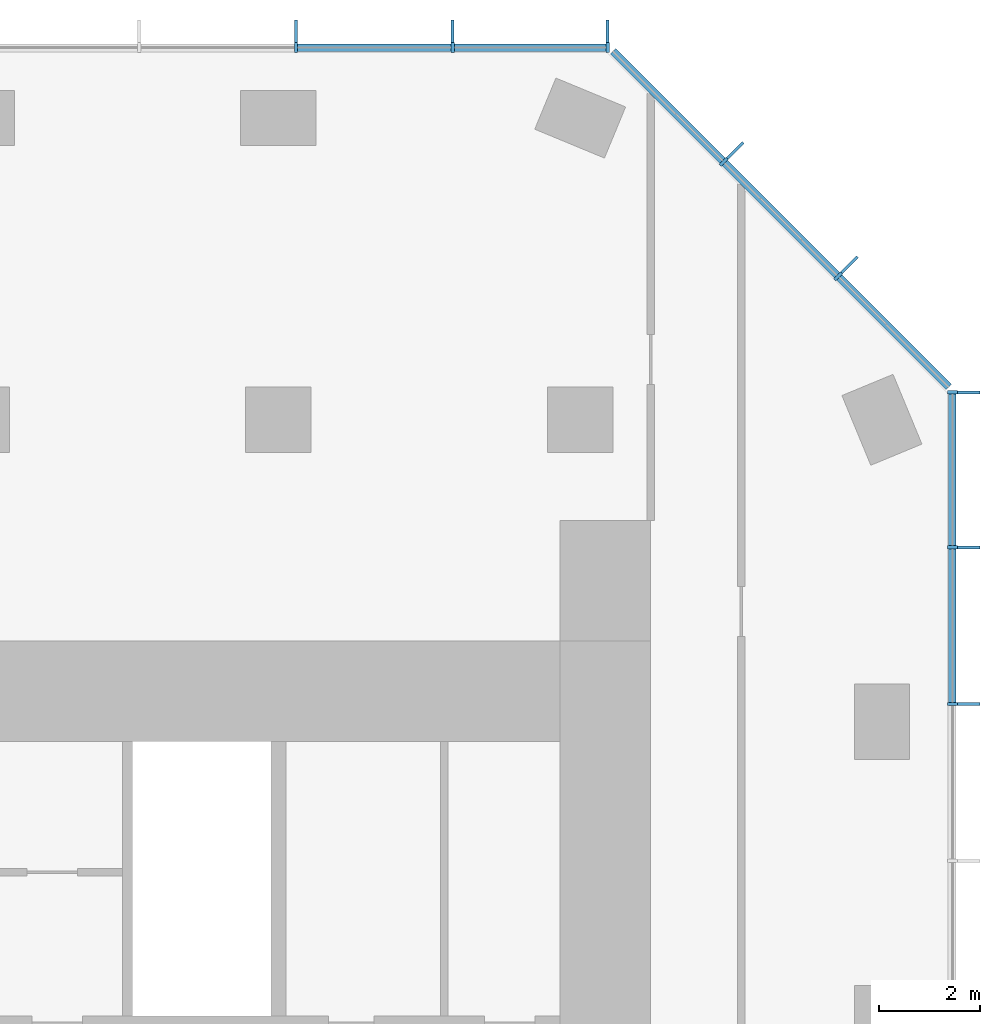
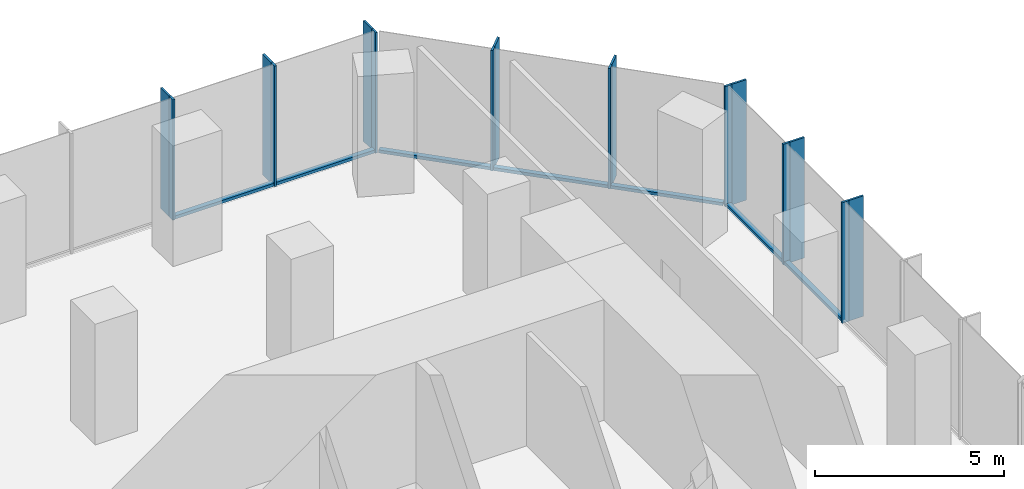
# One storey, part 6 of 11: 23 members, 3 elements without a shape of their own.
"""IFC4 building model written with IfcOpenShell, lengths in metres."""

from ifc_helpers import new_model, si_unit, direction, frame, origin, origin_2d, place, context, subcontext, project, spatial, rectangle, extrude, material, layer, layer_set, material_profile, profile_set, type_object, element, aggregate, save


model = new_model("IFC4")

# Units and contexts
model_context = context("Model", 3, precision=1e-05, world=origin(), true_north=direction((0.0, 1.0)))
body_context = subcontext(model_context, "Body", "Model", "MODEL_VIEW")
ifc_project = project(units=[si_unit("LENGTHUNIT", "METRE"), si_unit("AREAUNIT", "SQUARE_METRE"), si_unit("VOLUMEUNIT", "CUBIC_METRE"), si_unit("PLANEANGLEUNIT", "RADIAN"), si_unit("MASSUNIT", "GRAM", prefix="KILO")], contexts=[model_context])

# Site, building, storey
site_placement = place(None, origin())
site = spatial("IfcSite", under=ifc_project, at=site_placement, CompositionType="ELEMENT")
building_placement = place(site_placement, origin())
building = spatial("IfcBuilding", under=site, at=building_placement, Name="Highveld Stack Headquarters", CompositionType="ELEMENT")
storey_placement = place(building_placement, frame((0.0, 0.0, 224.0)))
storey = spatial("IfcBuildingStorey", under=building, at=storey_placement, Name="L55", CompositionType="ELEMENT", Elevation=224.0)

# Curtain wall, members
ifc_material_1 = material(Name="Aluminium bronze anodised", Category="aluminium")
ifc_layer_1 = layer(ifc_material_1, 0.199951171875)
ifc_layer_set_1 = layer_set([ifc_layer_1], Name="Aluminium bronze anodised")
curtain_wall_type_1 = type_object("IfcCurtainWallType", Name="CW1 TOWER UNITISED CURTAIN WALL", PredefinedType="NOTDEFINED", material=ifc_layer_set_1)
curtain_wall_1_placement = place(storey_placement, origin())
curtain_wall_1 = element("IfcCurtainWall", 1, at=curtain_wall_1_placement, inside=storey, type_object=curtain_wall_type_1, Name="Curtain wall CW1 L55 E", PredefinedType="NOTDEFINED")
ifc_material_2 = material(Name="Aluminium bronze anodised", Category="aluminium")
ifc_material_profile_1 = material_profile(ifc_material_2, rectangle(XDim=0.449951171875, YDim=0.06005859375, at=origin_2d()), Name="FIN 450x60")
ifc_profile_set_1 = profile_set([ifc_material_profile_1], Name="Aluminium bronze anodised")
member_type_1 = type_object("IfcMemberType", Name="CW1 BRONZE FIN 450x60", PredefinedType="USERDEFINED", material=ifc_profile_set_1)
member_1_placement = place(storey_placement, frame((25.72509765625, 12.347900390625, 0.0), z_axis=(0.0, 0.0, 1.0), x_axis=(-1.0, 0.0, 0.0)))
member_1 = element("IfcMember", 2, at=member_1_placement, type_object=member_type_1, Name="CW1 fin L55 9", ObjectType="FIN", PredefinedType="USERDEFINED", context=body_context, shape_type="SweptSolid", body=[
    extrude(rectangle(XDim=0.449951171875, YDim=0.06005859375, at=origin_2d()), origin(), (0.0, 0.0, 1.0), 3.89990234375),
])
member_2_placement = place(storey_placement, frame((25.72509765625, 15.4638671875, 0.0), z_axis=(0.0, 0.0, 1.0), x_axis=(-1.0, 0.0, 0.0)))
member_2 = element("IfcMember", 3, at=member_2_placement, type_object=member_type_1, Name="CW1 fin L55 10", ObjectType="FIN", PredefinedType="USERDEFINED", context=body_context, shape_type="SweptSolid", body=[
    extrude(rectangle(XDim=0.449951171875, YDim=0.06005859375, at=origin_2d()), origin(), (0.0, 0.0, 1.0), 3.89990234375),
])
member_3_placement = place(storey_placement, frame((25.72509765625, 18.54736328125, 0.0), z_axis=(0.0, 0.0, 1.0), x_axis=(-1.0, 0.0, 0.0)))
member_3 = element("IfcMember", 4, at=member_3_placement, type_object=member_type_1, Name="CW1 fin L55 11", ObjectType="FIN", PredefinedType="USERDEFINED", context=body_context, shape_type="SweptSolid", body=[
    extrude(rectangle(XDim=0.449951171875, YDim=0.06005859375, at=origin_2d()), origin(), (0.0, 0.0, 1.0), 3.89990234375),
])

curtain_wall_2_placement = place(storey_placement, origin())
curtain_wall_2 = element("IfcCurtainWall", 5, at=curtain_wall_2_placement, inside=storey, type_object=curtain_wall_type_1, Name="Curtain wall CW1 L55 N", PredefinedType="NOTDEFINED")
member_4_placement = place(storey_placement, frame((18.54736328125, 25.72509765625, 0.0), z_axis=(0.0, 0.0, 1.0), x_axis=(0.0, -1.0, 0.0)))
member_4 = element("IfcMember", 6, at=member_4_placement, type_object=member_type_1, Name="CW1 fin L55 1", ObjectType="FIN", PredefinedType="USERDEFINED", context=body_context, shape_type="SweptSolid", body=[
    extrude(rectangle(XDim=0.449951171875, YDim=0.06005859375, at=origin_2d()), origin(), (0.0, 0.0, 1.0), 3.89990234375),
])
member_5_placement = place(storey_placement, frame((15.4638671875, 25.72509765625, 0.0), z_axis=(0.0, 0.0, 1.0), x_axis=(0.0, -1.0, 0.0)))
member_5 = element("IfcMember", 7, at=member_5_placement, type_object=member_type_1, Name="CW1 fin L55 2", ObjectType="FIN", PredefinedType="USERDEFINED", context=body_context, shape_type="SweptSolid", body=[
    extrude(rectangle(XDim=0.449951171875, YDim=0.06005859375, at=origin_2d()), origin(), (0.0, 0.0, 1.0), 3.89990234375),
])
member_6_placement = place(storey_placement, frame((12.347900390625, 25.72509765625, 0.0), z_axis=(0.0, 0.0, 1.0), x_axis=(0.0, -1.0, 0.0)))
member_6 = element("IfcMember", 8, at=member_6_placement, type_object=member_type_1, Name="CW1 fin L55 3", ObjectType="FIN", PredefinedType="USERDEFINED", context=body_context, shape_type="SweptSolid", body=[
    extrude(rectangle(XDim=0.449951171875, YDim=0.06005859375, at=origin_2d()), origin(), (0.0, 0.0, 1.0), 3.89990234375),
])

# Member
ifc_material_3 = material(Name="Aluminium bronze anodised", Category="aluminium")
ifc_material_profile_2 = material_profile(ifc_material_3, rectangle(XDim=0.199951171875, YDim=0.06494140625, at=origin_2d()), Name="CW1 MULLION 65x200")
ifc_profile_set_2 = profile_set([ifc_material_profile_2], Name="Aluminium bronze anodised")
member_type_2 = type_object("IfcMemberType", Name="CW1 MULLION 65x200", PredefinedType="MULLION", material=ifc_profile_set_2)
member_7_placement = place(storey_placement, frame((25.39990234375, 12.347900390625, 0.0), z_axis=(0.0, 0.0, 1.0), x_axis=(-1.0, 0.0, 0.0)))
member_7 = element("IfcMember", 9, at=member_7_placement, type_object=member_type_2, Name="CW1 mullion L55 9", PredefinedType="MULLION", context=body_context, shape_type="SweptSolid", body=[
    extrude(rectangle(XDim=0.199951171875, YDim=0.06494140625, at=origin_2d()), origin(), (0.0, 0.0, 1.0), 3.89990234375),
])

member_8_placement = place(storey_placement, frame((25.39990234375, 15.4638671875, 0.0), z_axis=(0.0, 0.0, 1.0), x_axis=(-1.0, 0.0, 0.0)))
member_8 = element("IfcMember", 10, at=member_8_placement, type_object=member_type_2, Name="CW1 mullion L55 10", PredefinedType="MULLION", context=body_context, shape_type="SweptSolid", body=[
    extrude(rectangle(XDim=0.199951171875, YDim=0.06494140625, at=origin_2d()), origin(), (0.0, 0.0, 1.0), 3.89990234375),
])

member_9_placement = place(storey_placement, frame((25.39990234375, 18.54736328125, 0.0), z_axis=(0.0, 0.0, 1.0), x_axis=(-1.0, 0.0, 0.0)))
member_9 = element("IfcMember", 11, at=member_9_placement, type_object=member_type_2, Name="CW1 mullion L55 11", PredefinedType="MULLION", context=body_context, shape_type="SweptSolid", body=[
    extrude(rectangle(XDim=0.199951171875, YDim=0.06494140625, at=origin_2d()), origin(), (0.0, 0.0, 1.0), 3.89990234375),
])

member_10_placement = place(storey_placement, frame((18.54736328125, 25.39990234375, 0.0), z_axis=(0.0, 0.0, 1.0), x_axis=(0.0, -1.0, 0.0)))
member_10 = element("IfcMember", 12, at=member_10_placement, type_object=member_type_2, Name="CW1 mullion L55 1", PredefinedType="MULLION", context=body_context, shape_type="SweptSolid", body=[
    extrude(rectangle(XDim=0.199951171875, YDim=0.06494140625, at=origin_2d()), origin(), (0.0, 0.0, 1.0), 3.89990234375),
])

member_11_placement = place(storey_placement, frame((15.4638671875, 25.39990234375, 0.0), z_axis=(0.0, 0.0, 1.0), x_axis=(0.0, -1.0, 0.0)))
member_11 = element("IfcMember", 13, at=member_11_placement, type_object=member_type_2, Name="CW1 mullion L55 2", PredefinedType="MULLION", context=body_context, shape_type="SweptSolid", body=[
    extrude(rectangle(XDim=0.199951171875, YDim=0.06494140625, at=origin_2d()), origin(), (0.0, 0.0, 1.0), 3.89990234375),
])

member_12_placement = place(storey_placement, frame((12.347900390625, 25.39990234375, 0.0), z_axis=(0.0, 0.0, 1.0), x_axis=(0.0, -1.0, 0.0)))
member_12 = element("IfcMember", 14, at=member_12_placement, type_object=member_type_2, Name="CW1 mullion L55 3", PredefinedType="MULLION", context=body_context, shape_type="SweptSolid", body=[
    extrude(rectangle(XDim=0.199951171875, YDim=0.06494140625, at=origin_2d()), origin(), (0.0, 0.0, 1.0), 3.89990234375),
])

ifc_material_4 = material(Name="Aluminium bronze anodised", Category="aluminium")
ifc_material_profile_3 = material_profile(ifc_material_4, rectangle(XDim=0.14990234375, YDim=0.10009765625, at=origin_2d()), Name="CW1 TRANSOM 150x100")
ifc_profile_set_3 = profile_set([ifc_material_profile_3], Name="Aluminium bronze anodised")
member_type_3 = type_object("IfcMemberType", Name="CW1 STACK TRANSOM 150x100", PredefinedType="USERDEFINED", material=ifc_profile_set_3)
member_13_placement = place(storey_placement, frame((25.39990234375, 12.38037109375, 0.050048828125), z_axis=(0.0, 1.0, 0.0), x_axis=(-1.0, 0.0, 0.0)))
member_13 = element("IfcMember", 15, at=member_13_placement, type_object=member_type_3, Name="CW1 transom L55 9.1", ObjectType="TRANSOM", PredefinedType="USERDEFINED", context=body_context, shape_type="SweptSolid", body=[
    extrude(rectangle(XDim=0.14990234375, YDim=0.10009765625, at=origin_2d()), origin(), (0.0, 0.0, 1.0), 3.051025390625),
])

member_14_placement = place(storey_placement, frame((25.39990234375, 15.496337890625, 0.050048828125), z_axis=(0.0, 1.0, 0.0), x_axis=(-1.0, 0.0, 0.0)))
member_14 = element("IfcMember", 16, at=member_14_placement, type_object=member_type_3, Name="CW1 transom L55 10.1", ObjectType="TRANSOM", PredefinedType="USERDEFINED", context=body_context, shape_type="SweptSolid", body=[
    extrude(rectangle(XDim=0.14990234375, YDim=0.10009765625, at=origin_2d()), origin(), (0.0, 0.0, 1.0), 3.0185546875),
])

aggregate(curtain_wall_1, [member_7, member_1, member_8, member_2, member_9, member_3, member_13, member_14])

member_15_placement = place(storey_placement, frame((18.514892578125, 25.39990234375, 0.050048828125), z_axis=(-1.0, 0.0, 0.0), x_axis=(0.0, -1.0, 0.0)))
member_15 = element("IfcMember", 17, at=member_15_placement, type_object=member_type_3, Name="CW1 transom L55 1.1", ObjectType="TRANSOM", PredefinedType="USERDEFINED", context=body_context, shape_type="SweptSolid", body=[
    extrude(rectangle(XDim=0.14990234375, YDim=0.10009765625, at=origin_2d()), origin(), (0.0, 0.0, 1.0), 3.0185546875),
])

member_16_placement = place(storey_placement, frame((15.431396484375, 25.39990234375, 0.050048828125), z_axis=(-1.0, 0.0, 0.0), x_axis=(0.0, -1.0, 0.0)))
member_16 = element("IfcMember", 18, at=member_16_placement, type_object=member_type_3, Name="CW1 transom L55 2.1", ObjectType="TRANSOM", PredefinedType="USERDEFINED", context=body_context, shape_type="SweptSolid", body=[
    extrude(rectangle(XDim=0.14990234375, YDim=0.10009765625, at=origin_2d()), origin(), (0.0, 0.0, 1.0), 3.051025390625),
])

aggregate(curtain_wall_2, [member_10, member_4, member_11, member_5, member_12, member_6, member_15, member_16])

# Curtain wall, members
ifc_material_5 = material(Name="Aluminium bronze anodised", Category="aluminium")
ifc_layer_2 = layer(ifc_material_5, 0.199951171875)
ifc_layer_set_2 = layer_set([ifc_layer_2], Name="Aluminium bronze anodised")
curtain_wall_type_2 = type_object("IfcCurtainWallType", Name="CW2 TOWER CHAMFER UNITISED CURTAIN WALL", PredefinedType="NOTDEFINED", material=ifc_layer_set_2)
curtain_wall_3_placement = place(storey_placement, origin())
curtain_wall_3 = element("IfcCurtainWall", 19, at=curtain_wall_3_placement, inside=storey, type_object=curtain_wall_type_2, Name="Curtain wall CW2 L55 NE", PredefinedType="NOTDEFINED")
ifc_material_6 = material(Name="Aluminium bronze anodised", Category="aluminium")
ifc_material_profile_4 = material_profile(ifc_material_6, rectangle(XDim=0.449951171875, YDim=0.06005859375, at=origin_2d()), Name="FIN 450x60")
ifc_profile_set_4 = profile_set([ifc_material_profile_4], Name="Aluminium bronze anodised")
member_type_4 = type_object("IfcMemberType", Name="CW2 BRONZE FIN 450x60", PredefinedType="USERDEFINED", material=ifc_profile_set_4)
member_17_placement = place(storey_placement, frame((23.3564453125, 21.0830078125, 0.0), z_axis=(0.0, 0.0, 1.0), x_axis=(-0.707106781187, -0.707106781187, 0.0)))
member_17 = element("IfcMember", 20, at=member_17_placement, type_object=member_type_4, Name="CW2 fin L55 1", ObjectType="FIN", PredefinedType="USERDEFINED", context=body_context, shape_type="SweptSolid", body=[
    extrude(rectangle(XDim=0.449951171875, YDim=0.06005859375, at=origin_2d()), origin(), (0.0, 0.0, 1.0), 3.89990234375),
])
member_18_placement = place(storey_placement, frame((21.0830078125, 23.3564453125, 0.0), z_axis=(0.0, 0.0, 1.0), x_axis=(-0.707106781187, -0.707106781187, 0.0)))
member_18 = element("IfcMember", 21, at=member_18_placement, type_object=member_type_4, Name="CW2 fin L55 2", ObjectType="FIN", PredefinedType="USERDEFINED", context=body_context, shape_type="SweptSolid", body=[
    extrude(rectangle(XDim=0.449951171875, YDim=0.06005859375, at=origin_2d()), origin(), (0.0, 0.0, 1.0), 3.89990234375),
])
ifc_material_7 = material(Name="Aluminium bronze anodised", Category="aluminium")
ifc_material_profile_5 = material_profile(ifc_material_7, rectangle(XDim=0.199951171875, YDim=0.06494140625, at=origin_2d()), Name="CW2 MULLION 65x200")
ifc_profile_set_5 = profile_set([ifc_material_profile_5], Name="Aluminium bronze anodised")
member_type_5 = type_object("IfcMemberType", Name="CW2 MULLION 65x200", PredefinedType="MULLION", material=ifc_profile_set_5)
member_19_placement = place(storey_placement, frame((23.126708984375, 20.853271484375, 0.0), z_axis=(0.0, 0.0, 1.0), x_axis=(-0.707106781187, -0.707106781187, 0.0)))
member_19 = element("IfcMember", 22, at=member_19_placement, type_object=member_type_5, Name="CW2 mullion L55 1", PredefinedType="MULLION", context=body_context, shape_type="SweptSolid", body=[
    extrude(rectangle(XDim=0.199951171875, YDim=0.06494140625, at=origin_2d()), origin(), (0.0, 0.0, 1.0), 3.89990234375),
])
member_20_placement = place(storey_placement, frame((20.853271484375, 23.126708984375, 0.0), z_axis=(0.0, 0.0, 1.0), x_axis=(-0.707106781187, -0.707106781187, 0.0)))
member_20 = element("IfcMember", 23, at=member_20_placement, type_object=member_type_5, Name="CW2 mullion L55 2", PredefinedType="MULLION", context=body_context, shape_type="SweptSolid", body=[
    extrude(rectangle(XDim=0.199951171875, YDim=0.06494140625, at=origin_2d()), origin(), (0.0, 0.0, 1.0), 3.89990234375),
])
ifc_material_8 = material(Name="Aluminium bronze anodised", Category="aluminium")
ifc_material_profile_6 = material_profile(ifc_material_8, rectangle(XDim=0.14990234375, YDim=0.10009765625, at=origin_2d()), Name="CW2 TRANSOM 150x100")
ifc_profile_set_6 = profile_set([ifc_material_profile_6], Name="Aluminium bronze anodised")
member_type_6 = type_object("IfcMemberType", Name="CW2 STACK TRANSOM 150x100", PredefinedType="USERDEFINED", material=ifc_profile_set_6)
member_21_placement = place(storey_placement, frame((25.329345703125, 18.650634765625, 0.050048828125), z_axis=(-0.707106781187, 0.707106781187, 0.0), x_axis=(-0.707106781187, -0.707106781187, 0.0)))
member_21 = element("IfcMember", 24, at=member_21_placement, type_object=member_type_6, Name="CW2 transom L55 1.1", ObjectType="TRANSOM", PredefinedType="USERDEFINED", context=body_context, shape_type="SweptSolid", body=[
    extrude(rectangle(XDim=0.14990234375, YDim=0.10009765625, at=origin_2d()), origin(), (0.0, 0.0, 1.0), 3.08251953125),
])
member_22_placement = place(storey_placement, frame((23.103759765625, 20.876220703125, 0.050048828125), z_axis=(-0.707106781187, 0.707106781187, 0.0), x_axis=(-0.707106781187, -0.707106781187, 0.0)))
member_22 = element("IfcMember", 25, at=member_22_placement, type_object=member_type_6, Name="CW2 transom L55 2.1", ObjectType="TRANSOM", PredefinedType="USERDEFINED", context=body_context, shape_type="SweptSolid", body=[
    extrude(rectangle(XDim=0.14990234375, YDim=0.10009765625, at=origin_2d()), origin(), (0.0, 0.0, 1.0), 3.150146484375),
])
member_23_placement = place(storey_placement, frame((20.830322265625, 23.149658203125, 0.050048828125), z_axis=(-0.707106781187, 0.707106781187, 0.0), x_axis=(-0.707106781187, -0.707106781187, 0.0)))
member_23 = element("IfcMember", 26, at=member_23_placement, type_object=member_type_6, Name="CW2 transom L55 3.1", ObjectType="TRANSOM", PredefinedType="USERDEFINED", context=body_context, shape_type="SweptSolid", body=[
    extrude(rectangle(XDim=0.14990234375, YDim=0.10009765625, at=origin_2d()), origin(), (0.0, 0.0, 1.0), 3.08251953125),
])
aggregate(curtain_wall_3, [member_19, member_17, member_20, member_18, member_21, member_22, member_23])

save(model, "model.ifc")
